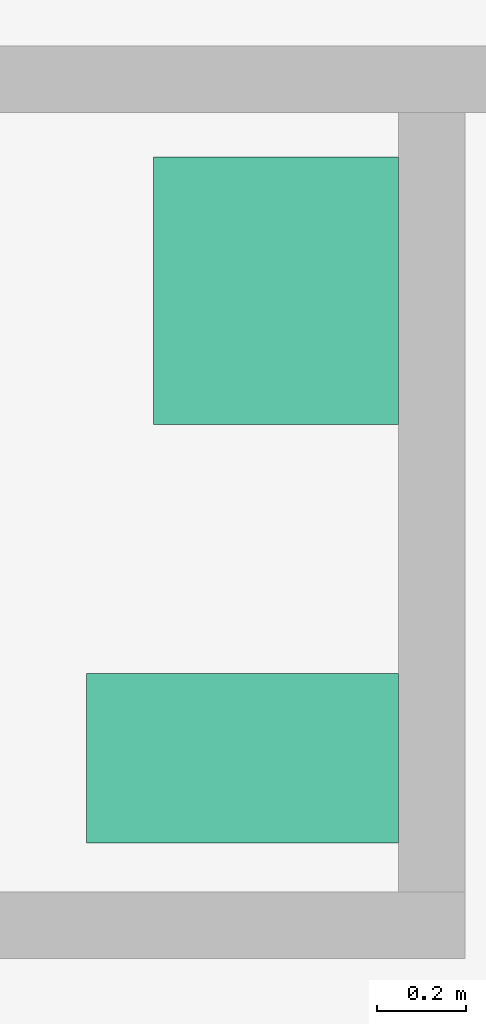
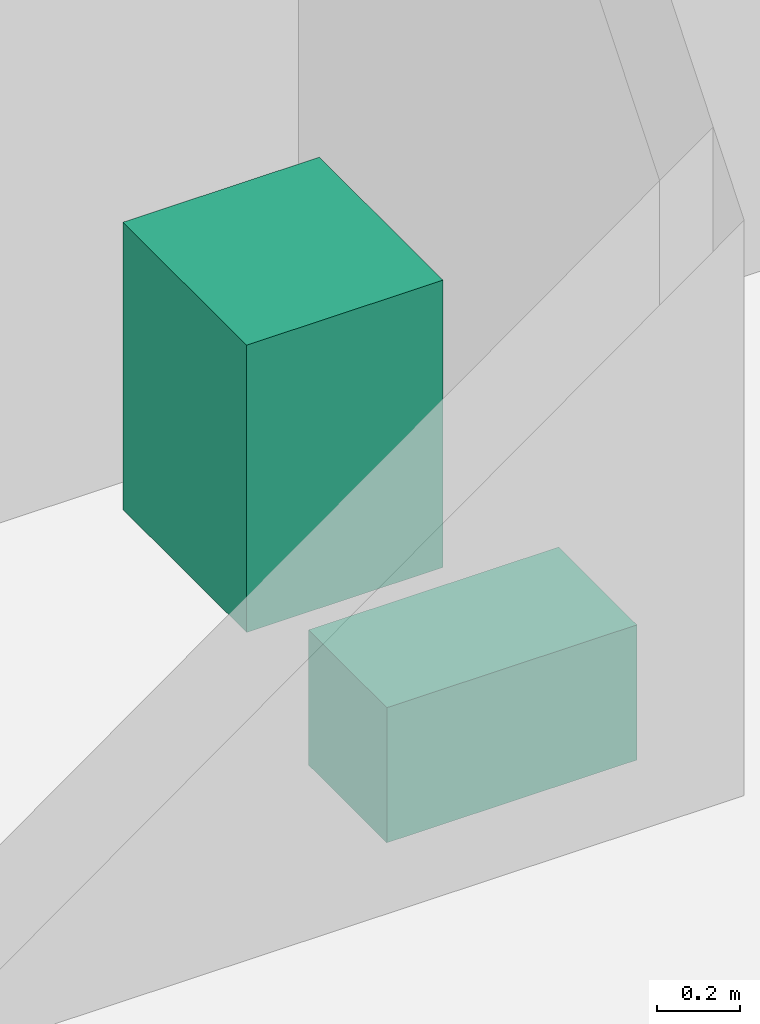
# One storey, part 13 of 13: 2 sanitary terminals.
"""IFC4 building model written with IfcOpenShell, lengths in metres."""

from ifc_helpers import new_model, si_unit, direction, frame, origin, origin_2d, place, context, subcontext, project, spatial, rectangle, extrude, material, element, save


model = new_model("IFC4")

# Units and contexts
model_context = context("Model", 3, precision=1e-05, world=origin(), true_north=direction((0.0, 1.0)))
body_context = subcontext(model_context, "Body", "Model", "MODEL_VIEW")
ifc_project = project(units=[si_unit("LENGTHUNIT", "METRE"), si_unit("AREAUNIT", "SQUARE_METRE"), si_unit("VOLUMEUNIT", "CUBIC_METRE"), si_unit("PLANEANGLEUNIT", "RADIAN"), si_unit("MASSUNIT", "GRAM", prefix="KILO")], contexts=[model_context])

# Site, building, storey
site_placement = place(None, origin())
site = spatial("IfcSite", under=ifc_project, at=site_placement, CompositionType="ELEMENT")
building_placement = place(site_placement, origin())
building = spatial("IfcBuilding", under=site, at=building_placement, Name="Kopane Lantern Tower", CompositionType="ELEMENT")
storey_placement = place(building_placement, frame((0.0, 0.0, 110.199951171875)))
storey = spatial("IfcBuildingStorey", under=building, at=storey_placement, Name="L27", CompositionType="ELEMENT", Elevation=110.199951171875)

# Sanitary terminals
ifc_material = material(Name="Vitreous china")
sanitary_terminal_1_placement = place(storey_placement, frame((34.14990234375, 27.75, 0.0), z_axis=(0.0, 0.0, 1.0), x_axis=(1.0, 0.0, 0.0)))
element("IfcSanitaryTerminal", 1, at=sanitary_terminal_1_placement, inside=storey, material=ifc_material, Name="WC pan L27", PredefinedType="TOILETPAN", context=body_context, shape_type="SweptSolid", body=[
    extrude(rectangle(XDim=0.699951171875, YDim=0.3798828125, at=origin_2d()), origin(), (0.0, 0.0, 1.0), 0.39990234375),
])
sanitary_terminal_2_placement = place(storey_placement, frame((34.22509765625, 28.800048828125, 0.0), z_axis=(0.0, 0.0, 1.0), x_axis=(1.0, 0.0, 0.0)))
element("IfcSanitaryTerminal", 2, at=sanitary_terminal_2_placement, inside=storey, material=ifc_material, Name="Wash basin L27", PredefinedType="WASHHANDBASIN", context=body_context, shape_type="SweptSolid", body=[
    extrude(rectangle(XDim=0.550048828125, YDim=0.60009765625, at=origin_2d()), origin(), (0.0, 0.0, 1.0), 0.85009765625),
])

save(model, "model.ifc")
